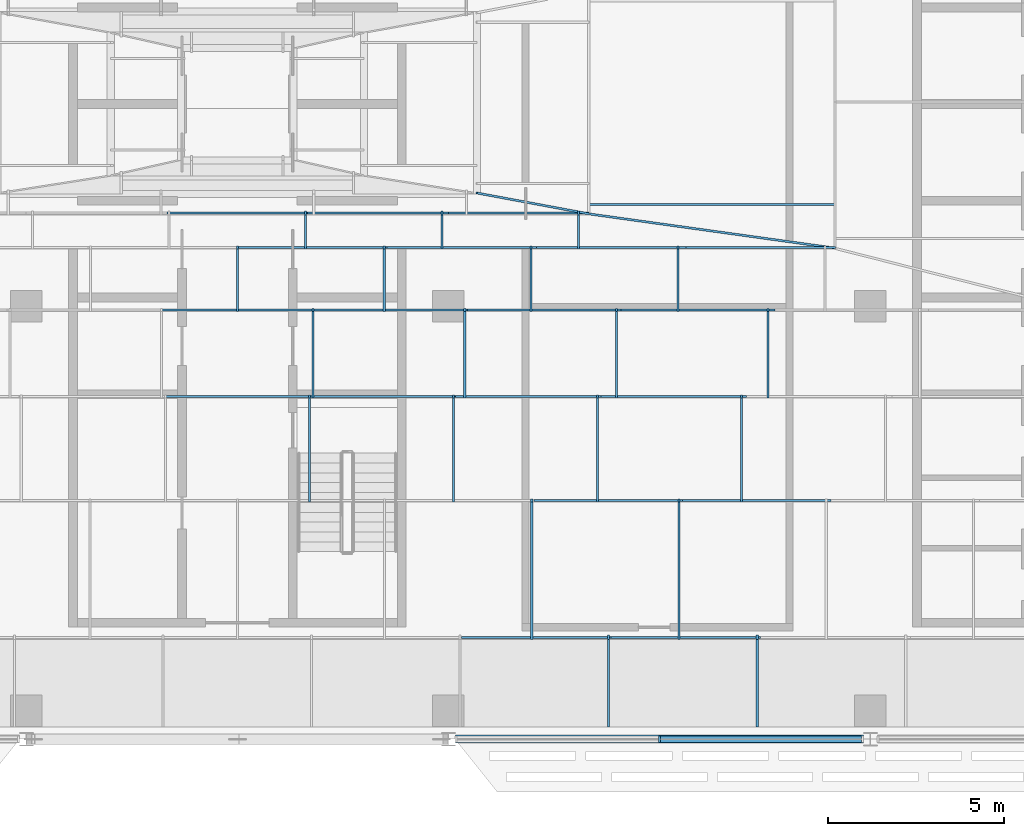
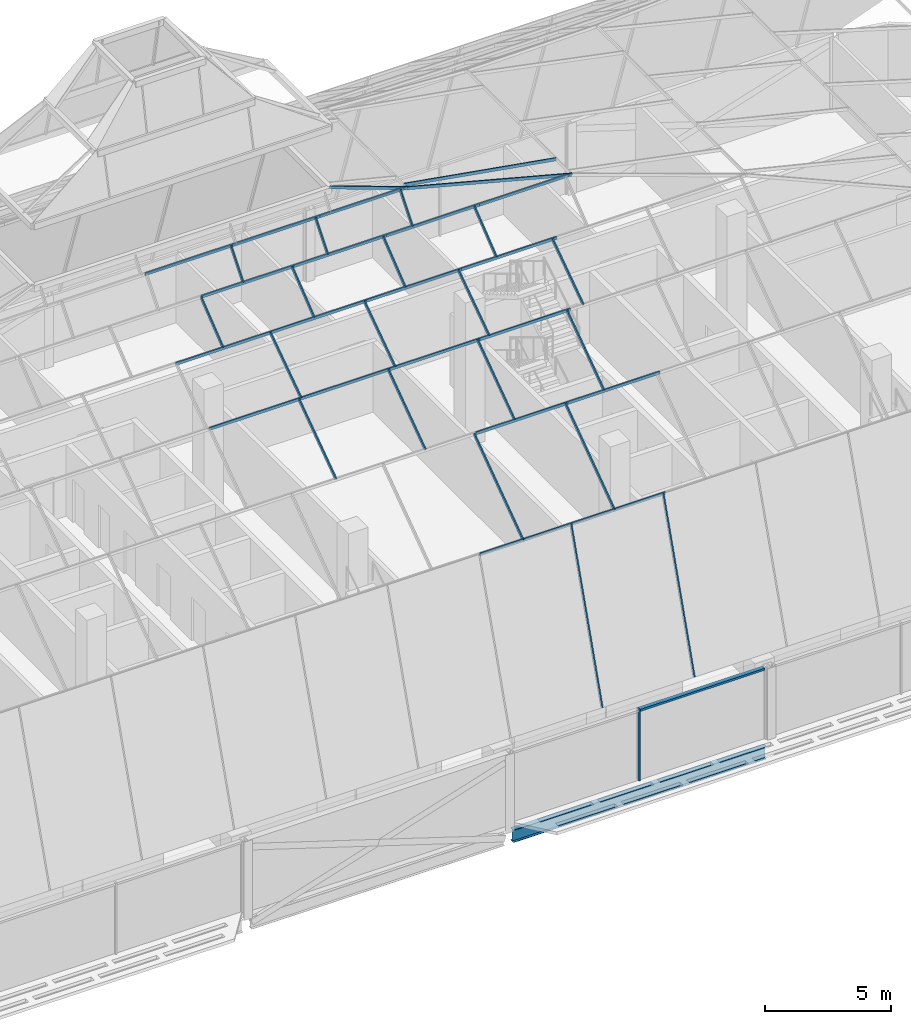
# One storey, part 10 of 39: 43 members, 1 beam, 9 elements without a shape of their own.
"""IFC4 building model written with IfcOpenShell, lengths in metres."""

from ifc_helpers import new_model, si_unit, direction, frame, origin, origin_2d, place, context, subcontext, project, spatial, rectangle, i_section, extrude, material, material_profile, profile_set, type_object, element, aggregate, save


model = new_model("IFC4")

# Units and contexts
model_context = context("Model", 3, precision=1e-05, world=origin(), true_north=direction((0.0, 1.0)))
body_context = subcontext(model_context, "Body", "Model", "MODEL_VIEW")
ifc_project = project(units=[si_unit("LENGTHUNIT", "METRE"), si_unit("AREAUNIT", "SQUARE_METRE"), si_unit("VOLUMEUNIT", "CUBIC_METRE"), si_unit("PLANEANGLEUNIT", "RADIAN"), si_unit("MASSUNIT", "GRAM", prefix="KILO")], contexts=[model_context])

# Site, building, storey
site_placement = place(None, origin())
site = spatial("IfcSite", under=ifc_project, at=site_placement, CompositionType="ELEMENT")
building_placement = place(site_placement, origin())
building = spatial("IfcBuilding", under=site, at=building_placement, Name="Mahtab Terrace Research Tower", CompositionType="ELEMENT")
storey_placement = place(building_placement, frame((0.0, 0.0, 282.300048828125)))
storey = spatial("IfcBuildingStorey", under=building, at=storey_placement, Name="L69", CompositionType="ELEMENT", Elevation=282.300048828125)

# Curtain wall, members
ifc_material_1 = material(Name="Crown faceted glass roof")
curtain_wall_type_1 = type_object("IfcCurtainWallType", Name="Crown faceted glass roof", PredefinedType="NOTDEFINED", material=ifc_material_1)
curtain_wall_1_placement = place(storey_placement, origin())
curtain_wall_1 = element("IfcCurtainWall", 1, at=curtain_wall_1_placement, inside=storey, type_object=curtain_wall_type_1, Name="CROWN.S0", PredefinedType="NOTDEFINED")
ifc_material_2 = material(Name="Natural anodised aluminium", Category="aluminium")
ifc_material_profile_1 = material_profile(ifc_material_2, rectangle(XDim=0.06005859375, YDim=0.139892578125, at=origin_2d()), Name="MULLION 60x140")
ifc_profile_set_1 = profile_set([ifc_material_profile_1], Name="Natural anodised aluminium")
member_type_1 = type_object("IfcMemberType", Name="Crown faceted glass roof mullion", PredefinedType="MULLION", material=ifc_profile_set_1)
member_1_placement = place(storey_placement, frame((10.55908203125, -11.890625, 3.77783203125), z_axis=(0.0, 0.317653941865, 0.948206714392), x_axis=(-1.0, 0.0, 0.0)))
member_1 = element("IfcMember", 2, at=member_1_placement, type_object=member_type_1, Name="CWC-S1 mullion 14", PredefinedType="MULLION", context=body_context, shape_type="SweptSolid", body=[
    extrude(rectangle(XDim=0.06005859375, YDim=0.139892578125, at=origin_2d()), origin(), (0.0, 0.0, 1.0), 7.80419921875),
])
member_2_placement = place(storey_placement, frame((14.78271484375, -11.890625, 3.77783203125), z_axis=(0.0, 0.317653941865, 0.948206714392), x_axis=(-1.0, 0.0, 0.0)))
member_2 = element("IfcMember", 3, at=member_2_placement, type_object=member_type_1, Name="CWC-S1 mullion 15", PredefinedType="MULLION", context=body_context, shape_type="SweptSolid", body=[
    extrude(rectangle(XDim=0.06005859375, YDim=0.139892578125, at=origin_2d()), origin(), (0.0, 0.0, 1.0), 7.80419921875),
])
aggregate(curtain_wall_1, [member_1, member_2])

curtain_wall_2_placement = place(storey_placement, origin())
curtain_wall_2 = element("IfcCurtainWall", 4, at=curtain_wall_2_placement, inside=storey, type_object=curtain_wall_type_1, Name="CROWN.S1", PredefinedType="NOTDEFINED")
member_3_placement = place(storey_placement, frame((8.372802734375, -9.437255859375, 11.14306640625), z_axis=(0.0, 0.813260115318, 0.581900322077), x_axis=(-1.0, 0.0, 0.0)))
member_3 = element("IfcMember", 5, at=member_3_placement, type_object=member_type_1, Name="CWC-S2 mullion 12", PredefinedType="MULLION", context=body_context, shape_type="SweptSolid", body=[
    extrude(rectangle(XDim=0.06005859375, YDim=0.139892578125, at=origin_2d()), origin(), (0.0, 0.0, 1.0), 4.81201171875),
])
member_4_placement = place(storey_placement, frame((12.55908203125, -9.437255859375, 11.14306640625), z_axis=(0.0, 0.813260115318, 0.581900322077), x_axis=(-1.0, 0.0, 0.0)))
member_4 = element("IfcMember", 6, at=member_4_placement, type_object=member_type_1, Name="CWC-S2 mullion 13", PredefinedType="MULLION", context=body_context, shape_type="SweptSolid", body=[
    extrude(rectangle(XDim=0.06005859375, YDim=0.139892578125, at=origin_2d()), origin(), (0.0, 0.0, 1.0), 4.81201171875),
])

curtain_wall_3_placement = place(storey_placement, origin())
curtain_wall_3 = element("IfcCurtainWall", 7, at=curtain_wall_3_placement, inside=storey, type_object=curtain_wall_type_1, Name="CROWN.S2", PredefinedType="NOTDEFINED")
member_5_placement = place(storey_placement, frame((2.048095703125, -5.524169921875, 13.94287109375), z_axis=(0.0, 0.815304175088, 0.57903290242), x_axis=(-1.0, 0.0, 0.0)))
member_5 = element("IfcMember", 8, at=member_5_placement, type_object=member_type_1, Name="CWC-S3 mullion 9", PredefinedType="MULLION", context=body_context, shape_type="SweptSolid", body=[
    extrude(rectangle(XDim=0.06005859375, YDim=0.139892578125, at=origin_2d()), origin(), (0.0, 0.0, 1.0), 3.626953125),
])
member_6_placement = place(storey_placement, frame((6.14404296875, -5.524169921875, 13.94287109375), z_axis=(0.0, 0.815304175088, 0.57903290242), x_axis=(-1.0, 0.0, 0.0)))
member_6 = element("IfcMember", 9, at=member_6_placement, type_object=member_type_1, Name="CWC-S3 mullion 10", PredefinedType="MULLION", context=body_context, shape_type="SweptSolid", body=[
    extrude(rectangle(XDim=0.06005859375, YDim=0.139892578125, at=origin_2d()), origin(), (0.0, 0.0, 1.0), 3.626953125),
])
member_7_placement = place(storey_placement, frame((10.239990234375, -5.524169921875, 13.94287109375), z_axis=(0.0, 0.815304175088, 0.57903290242), x_axis=(-1.0, 0.0, 0.0)))
member_7 = element("IfcMember", 10, at=member_7_placement, type_object=member_type_1, Name="CWC-S3 mullion 11", PredefinedType="MULLION", context=body_context, shape_type="SweptSolid", body=[
    extrude(rectangle(XDim=0.06005859375, YDim=0.139892578125, at=origin_2d()), origin(), (0.0, 0.0, 1.0), 3.626953125),
])
member_8_placement = place(storey_placement, frame((14.336181640625, -5.524169921875, 13.94287109375), z_axis=(0.0, 0.815304175088, 0.57903290242), x_axis=(-1.0, 0.0, 0.0)))
member_8 = element("IfcMember", 11, at=member_8_placement, type_object=member_type_1, Name="CWC-S3 mullion 12", PredefinedType="MULLION", context=body_context, shape_type="SweptSolid", body=[
    extrude(rectangle(XDim=0.06005859375, YDim=0.139892578125, at=origin_2d()), origin(), (0.0, 0.0, 1.0), 3.626953125),
])

curtain_wall_4_placement = place(storey_placement, origin())
curtain_wall_4 = element("IfcCurtainWall", 12, at=curtain_wall_4_placement, inside=storey, type_object=curtain_wall_type_1, Name="CROWN.S3", PredefinedType="NOTDEFINED")
member_9_placement = place(storey_placement, frame((2.156005859375, -2.56787109375, 16.042236328125), z_axis=(0.0, 0.822770587003, 0.568373610544), x_axis=(-1.0, 0.0, 0.0)))
member_9 = element("IfcMember", 13, at=member_9_placement, type_object=member_type_1, Name="CWC-S4 mullion 7", PredefinedType="MULLION", context=body_context, shape_type="SweptSolid", body=[
    extrude(rectangle(XDim=0.06005859375, YDim=0.139892578125, at=origin_2d()), origin(), (0.0, 0.0, 1.0), 2.991455078125),
])
member_10_placement = place(storey_placement, frame((6.468017578125, -2.56787109375, 16.042236328125), z_axis=(0.0, 0.822770587003, 0.568373610544), x_axis=(-1.0, 0.0, 0.0)))
member_10 = element("IfcMember", 14, at=member_10_placement, type_object=member_type_1, Name="CWC-S4 mullion 8", PredefinedType="MULLION", context=body_context, shape_type="SweptSolid", body=[
    extrude(rectangle(XDim=0.06005859375, YDim=0.139892578125, at=origin_2d()), origin(), (0.0, 0.0, 1.0), 2.991455078125),
])
member_11_placement = place(storey_placement, frame((10.77978515625, -2.56787109375, 16.042236328125), z_axis=(0.0, 0.822770587003, 0.568373610544), x_axis=(-1.0, 0.0, 0.0)))
member_11 = element("IfcMember", 15, at=member_11_placement, type_object=member_type_1, Name="CWC-S4 mullion 9", PredefinedType="MULLION", context=body_context, shape_type="SweptSolid", body=[
    extrude(rectangle(XDim=0.06005859375, YDim=0.139892578125, at=origin_2d()), origin(), (0.0, 0.0, 1.0), 2.991455078125),
])
member_12_placement = place(storey_placement, frame((15.091796875, -2.56787109375, 16.042236328125), z_axis=(0.0, 0.822770587003, 0.568373610544), x_axis=(-1.0, 0.0, 0.0)))
member_12 = element("IfcMember", 16, at=member_12_placement, type_object=member_type_1, Name="CWC-S4 mullion 10", PredefinedType="MULLION", context=body_context, shape_type="SweptSolid", body=[
    extrude(rectangle(XDim=0.06005859375, YDim=0.139892578125, at=origin_2d()), origin(), (0.0, 0.0, 1.0), 2.991455078125),
])

curtain_wall_5_placement = place(storey_placement, origin())
curtain_wall_5 = element("IfcCurtainWall", 17, at=curtain_wall_5_placement, inside=storey, type_object=curtain_wall_type_1, Name="CROWN.S4", PredefinedType="NOTDEFINED")
member_13_placement = place(storey_placement, frame((0.0, -0.10302734375, 17.7451171875), z_axis=(0.0, 0.784464538832, 0.620173675122), x_axis=(-1.0, 0.0, 0.0)))
member_13 = element("IfcMember", 18, at=member_13_placement, type_object=member_type_1, Name="CWC-S5 mullion 5", PredefinedType="MULLION", context=body_context, shape_type="SweptSolid", body=[
    extrude(rectangle(XDim=0.06005859375, YDim=0.139892578125, at=origin_2d()), origin(), (0.0, 0.0, 1.0), 2.25732421875),
])
member_14_placement = place(storey_placement, frame((4.177734375, -0.10302734375, 17.7451171875), z_axis=(0.0, 0.784464538832, 0.620173675122), x_axis=(-1.0, 0.0, 0.0)))
member_14 = element("IfcMember", 19, at=member_14_placement, type_object=member_type_1, Name="CWC-S5 mullion 6", PredefinedType="MULLION", context=body_context, shape_type="SweptSolid", body=[
    extrude(rectangle(XDim=0.06005859375, YDim=0.139892578125, at=origin_2d()), origin(), (0.0, 0.0, 1.0), 2.25732421875),
])
member_15_placement = place(storey_placement, frame((8.35546875, -0.10302734375, 17.7451171875), z_axis=(0.0, 0.784464538832, 0.620173675122), x_axis=(-1.0, 0.0, 0.0)))
member_15 = element("IfcMember", 20, at=member_15_placement, type_object=member_type_1, Name="CWC-S5 mullion 7", PredefinedType="MULLION", context=body_context, shape_type="SweptSolid", body=[
    extrude(rectangle(XDim=0.06005859375, YDim=0.139892578125, at=origin_2d()), origin(), (0.0, 0.0, 1.0), 2.25732421875),
])
member_16_placement = place(storey_placement, frame((12.533203125, -0.10302734375, 17.7451171875), z_axis=(0.0, 0.784464538832, 0.620173675122), x_axis=(-1.0, 0.0, 0.0)))
member_16 = element("IfcMember", 21, at=member_16_placement, type_object=member_type_1, Name="CWC-S5 mullion 8", PredefinedType="MULLION", context=body_context, shape_type="SweptSolid", body=[
    extrude(rectangle(XDim=0.06005859375, YDim=0.139892578125, at=origin_2d()), origin(), (0.0, 0.0, 1.0), 2.25732421875),
])

curtain_wall_6_placement = place(storey_placement, origin())
curtain_wall_6 = element("IfcCurtainWall", 22, at=curtain_wall_6_placement, inside=storey, type_object=curtain_wall_type_1, Name="CROWN.S5", PredefinedType="NOTDEFINED")
member_17_placement = place(storey_placement, frame((1.94140625, 1.6787109375, 19.15576171875), z_axis=(0.0, 0.630092976718, 0.776519697555), x_axis=(-1.0, 0.0, 0.0)))
member_17 = element("IfcMember", 23, at=member_17_placement, type_object=member_type_1, Name="CWC-S6 mullion 4", PredefinedType="MULLION", context=body_context, shape_type="SweptSolid", body=[
    extrude(rectangle(XDim=0.06005859375, YDim=0.139892578125, at=origin_2d()), origin(), (0.0, 0.0, 1.0), 1.545654296875),
])
member_18_placement = place(storey_placement, frame((5.823974609375, 1.6787109375, 19.15576171875), z_axis=(0.0, 0.630092976718, 0.776519697555), x_axis=(-1.0, 0.0, 0.0)))
member_18 = element("IfcMember", 24, at=member_18_placement, type_object=member_type_1, Name="CWC-S6 mullion 5", PredefinedType="MULLION", context=body_context, shape_type="SweptSolid", body=[
    extrude(rectangle(XDim=0.06005859375, YDim=0.139892578125, at=origin_2d()), origin(), (0.0, 0.0, 1.0), 1.545654296875),
])
member_19_placement = place(storey_placement, frame((9.70654296875, 1.6787109375, 19.15576171875), z_axis=(0.0, 0.630092976718, 0.776519697555), x_axis=(-1.0, 0.0, 0.0)))
member_19 = element("IfcMember", 25, at=member_19_placement, type_object=member_type_1, Name="CWC-S6 mullion 6", PredefinedType="MULLION", context=body_context, shape_type="SweptSolid", body=[
    extrude(rectangle(XDim=0.06005859375, YDim=0.139892578125, at=origin_2d()), origin(), (0.0, 0.0, 1.0), 1.545654296875),
])

# Curtain wall, member
curtain_wall_7_placement = place(storey_placement, origin())
curtain_wall_7 = element("IfcCurtainWall", 26, at=curtain_wall_7_placement, inside=storey, type_object=curtain_wall_type_1, Name="CROWN.E5", PredefinedType="NOTDEFINED")
member_20_placement = place(storey_placement, frame((16.999267578125, 2.898193359375, 19.130859375), z_axis=(-0.985636308822, 0.0, 0.168881812909), x_axis=(0.0, -1.0, 0.0)))
member_20 = element("IfcMember", 27, at=member_20_placement, type_object=member_type_1, Name="CWC-E6 mullion 1", PredefinedType="MULLION", context=body_context, shape_type="SweptSolid", body=[
    extrude(rectangle(XDim=0.06005859375, YDim=0.139892578125, at=origin_2d()), origin(), (0.0, 0.0, 1.0), 7.106689453125),
])
aggregate(curtain_wall_7, [member_20])

# Member
member_21_placement = place(storey_placement, frame((17.00439453125, 1.654541015625, 19.13720703125), z_axis=(-0.976514044141, 0.135772552181, 0.167290572567), x_axis=(-0.137713257703, -0.990472139261, 0.0)))
member_21 = element("IfcMember", 28, at=member_21_placement, type_object=member_type_1, Name="CWC hip SE 6", PredefinedType="MULLION", context=body_context, shape_type="SweptSolid", body=[
    extrude(rectangle(XDim=0.06005859375, YDim=0.139892578125, at=origin_2d()), origin(), (0.0, 0.0, 1.0), 7.1728515625),
])

# Curtain wall, member
curtain_wall_8_placement = place(storey_placement, origin())
curtain_wall_8 = element("IfcCurtainWall", 29, at=curtain_wall_8_placement, inside=storey, type_object=curtain_wall_type_1, Name="CROWN.S6", PredefinedType="NOTDEFINED")
member_22_placement = place(storey_placement, frame((9.996826171875, 2.6298828125, 20.338134765625), z_axis=(-0.954542574047, 0.177826989169, 0.239219640192), x_axis=(-0.183144501834, -0.983086004095, 0.0)))
member_22 = element("IfcMember", 30, at=member_22_placement, type_object=member_type_1, Name="CWC hip SE 7", PredefinedType="MULLION", context=body_context, shape_type="SweptSolid", body=[
    extrude(rectangle(XDim=0.06005859375, YDim=0.139892578125, at=origin_2d()), origin(), (0.0, 0.0, 1.0), 3.344482421875),
])

# Member
ifc_material_profile_2 = material_profile(ifc_material_2, rectangle(XDim=0.06005859375, YDim=0.139892578125, at=origin_2d()), Name="TRANSOM 60x140")
ifc_profile_set_2 = profile_set([ifc_material_profile_2], Name="Natural anodised aluminium")
member_type_2 = type_object("IfcMemberType", Name="Crown faceted glass roof transom", PredefinedType="USERDEFINED", material=ifc_profile_set_2)
member_23_placement = place(storey_placement, frame((6.37841796875, -9.421630859375, 11.158447265625), z_axis=(1.0, 0.0, 0.0), x_axis=(0.0, 1.0, 0.0)))
member_23 = element("IfcMember", 31, at=member_23_placement, type_object=member_type_2, Name="CWC-S2 transom 13", ObjectType="TRANSOM", PredefinedType="USERDEFINED", context=body_context, shape_type="SweptSolid", body=[
    extrude(rectangle(XDim=0.06005859375, YDim=0.139892578125, at=origin_2d()), origin(), (0.0, 0.0, 1.0), 4.252197265625),
])

member_24_placement = place(storey_placement, frame((10.630615234375, -9.421630859375, 11.158447265625), z_axis=(1.0, 0.0, 0.0), x_axis=(0.0, 1.0, 0.0)))
member_24 = element("IfcMember", 32, at=member_24_placement, type_object=member_type_2, Name="CWC-S2 transom 14", ObjectType="TRANSOM", PredefinedType="USERDEFINED", context=body_context, shape_type="SweptSolid", body=[
    extrude(rectangle(XDim=0.06005859375, YDim=0.139892578125, at=origin_2d()), origin(), (0.0, 0.0, 1.0), 4.252197265625),
])

aggregate(curtain_wall_2, [member_3, member_4, member_23, member_24])

member_25_placement = place(storey_placement, frame((8.439208984375, -5.524169921875, 13.94287109375), z_axis=(1.0, 0.0, 0.0), x_axis=(0.0, 1.0, 0.0)))
member_25 = element("IfcMember", 33, at=member_25_placement, type_object=member_type_2, Name="CWC-S3 transom 12", ObjectType="TRANSOM", PredefinedType="USERDEFINED", context=body_context, shape_type="SweptSolid", body=[
    extrude(rectangle(XDim=0.06005859375, YDim=0.139892578125, at=origin_2d()), origin(), (0.0, 0.0, 1.0), 4.2197265625),
])

member_26_placement = place(storey_placement, frame((12.658935546875, -5.524169921875, 13.94287109375), z_axis=(1.0, 0.0, 0.0), x_axis=(0.0, 1.0, 0.0)))
member_26 = element("IfcMember", 34, at=member_26_placement, type_object=member_type_2, Name="CWC-S3 transom 13", ObjectType="TRANSOM", PredefinedType="USERDEFINED", context=body_context, shape_type="SweptSolid", body=[
    extrude(rectangle(XDim=0.06005859375, YDim=0.139892578125, at=origin_2d()), origin(), (0.0, 0.0, 1.0), 4.2197265625),
])

aggregate(curtain_wall_3, [member_5, member_6, member_7, member_8, member_25, member_26])

member_27_placement = place(storey_placement, frame((-2.068115234375, -2.5673828125, 16.042724609375), z_axis=(1.0, 0.0, 0.0), x_axis=(0.0, 1.0, 0.0)))
member_27 = element("IfcMember", 35, at=member_27_placement, type_object=member_type_2, Name="CWC-S4 transom 8", ObjectType="TRANSOM", PredefinedType="USERDEFINED", context=body_context, shape_type="SweptSolid", body=[
    extrude(rectangle(XDim=0.06005859375, YDim=0.139892578125, at=origin_2d()), origin(), (0.0, 0.0, 1.0), 4.13623046875),
])

member_28_placement = place(storey_placement, frame((2.068115234375, -2.5673828125, 16.042724609375), z_axis=(1.0, 0.0, 0.0), x_axis=(0.0, 1.0, 0.0)))
member_28 = element("IfcMember", 36, at=member_28_placement, type_object=member_type_2, Name="CWC-S4 transom 9", ObjectType="TRANSOM", PredefinedType="USERDEFINED", context=body_context, shape_type="SweptSolid", body=[
    extrude(rectangle(XDim=0.06005859375, YDim=0.139892578125, at=origin_2d()), origin(), (0.0, 0.0, 1.0), 4.135986328125),
])

member_29_placement = place(storey_placement, frame((6.2041015625, -2.5673828125, 16.042724609375), z_axis=(1.0, 0.0, 0.0), x_axis=(0.0, 1.0, 0.0)))
member_29 = element("IfcMember", 37, at=member_29_placement, type_object=member_type_2, Name="CWC-S4 transom 10", ObjectType="TRANSOM", PredefinedType="USERDEFINED", context=body_context, shape_type="SweptSolid", body=[
    extrude(rectangle(XDim=0.06005859375, YDim=0.139892578125, at=origin_2d()), origin(), (0.0, 0.0, 1.0), 4.135986328125),
])

member_30_placement = place(storey_placement, frame((10.340087890625, -2.5673828125, 16.042724609375), z_axis=(1.0, 0.0, 0.0), x_axis=(0.0, 1.0, 0.0)))
member_30 = element("IfcMember", 38, at=member_30_placement, type_object=member_type_2, Name="CWC-S4 transom 11", ObjectType="TRANSOM", PredefinedType="USERDEFINED", context=body_context, shape_type="SweptSolid", body=[
    extrude(rectangle(XDim=0.06005859375, YDim=0.139892578125, at=origin_2d()), origin(), (0.0, 0.0, 1.0), 4.135986328125),
])

aggregate(curtain_wall_4, [member_9, member_10, member_11, member_12, member_27, member_28, member_29, member_30])

member_31_placement = place(storey_placement, frame((-2.18310546875, -0.104736328125, 17.74365234375), z_axis=(1.0, 0.0, 0.0), x_axis=(0.0, 1.0, 0.0)))
member_31 = element("IfcMember", 39, at=member_31_placement, type_object=member_type_2, Name="CWC-S5 transom 6", ObjectType="TRANSOM", PredefinedType="USERDEFINED", context=body_context, shape_type="SweptSolid", body=[
    extrude(rectangle(XDim=0.06005859375, YDim=0.139892578125, at=origin_2d()), origin(), (0.0, 0.0, 1.0), 4.3662109375),
])

member_32_placement = place(storey_placement, frame((2.18310546875, -0.104736328125, 17.74365234375), z_axis=(1.0, 0.0, 0.0), x_axis=(0.0, 1.0, 0.0)))
member_32 = element("IfcMember", 40, at=member_32_placement, type_object=member_type_2, Name="CWC-S5 transom 7", ObjectType="TRANSOM", PredefinedType="USERDEFINED", context=body_context, shape_type="SweptSolid", body=[
    extrude(rectangle(XDim=0.06005859375, YDim=0.139892578125, at=origin_2d()), origin(), (0.0, 0.0, 1.0), 4.36669921875),
])

member_33_placement = place(storey_placement, frame((6.5498046875, -0.104736328125, 17.74365234375), z_axis=(1.0, 0.0, 0.0), x_axis=(0.0, 1.0, 0.0)))
member_33 = element("IfcMember", 41, at=member_33_placement, type_object=member_type_2, Name="CWC-S5 transom 8", ObjectType="TRANSOM", PredefinedType="USERDEFINED", context=body_context, shape_type="SweptSolid", body=[
    extrude(rectangle(XDim=0.06005859375, YDim=0.139892578125, at=origin_2d()), origin(), (0.0, 0.0, 1.0), 4.366455078125),
])

member_34_placement = place(storey_placement, frame((10.916259765625, -0.104736328125, 17.74365234375), z_axis=(1.0, 0.0, 0.0), x_axis=(0.0, 1.0, 0.0)))
member_34 = element("IfcMember", 42, at=member_34_placement, type_object=member_type_2, Name="CWC-S5 transom 9", ObjectType="TRANSOM", PredefinedType="USERDEFINED", context=body_context, shape_type="SweptSolid", body=[
    extrude(rectangle(XDim=0.06005859375, YDim=0.139892578125, at=origin_2d()), origin(), (0.0, 0.0, 1.0), 4.366455078125),
])

aggregate(curtain_wall_5, [member_13, member_14, member_15, member_16, member_31, member_32, member_33, member_34])

member_35_placement = place(storey_placement, frame((0.0, 1.673583984375, 19.150146484375), z_axis=(1.0, 0.0, 0.0), x_axis=(0.0, 1.0, 0.0)))
member_35 = element("IfcMember", 43, at=member_35_placement, type_object=member_type_2, Name="CWC-S6 transom 5", ObjectType="TRANSOM", PredefinedType="USERDEFINED", context=body_context, shape_type="SweptSolid", body=[
    extrude(rectangle(XDim=0.06005859375, YDim=0.139892578125, at=origin_2d()), origin(), (0.0, 0.0, 1.0), 4.252685546875),
])

member_36_placement = place(storey_placement, frame((4.252685546875, 1.673583984375, 19.150146484375), z_axis=(1.0, 0.0, 0.0), x_axis=(0.0, 1.0, 0.0)))
member_36 = element("IfcMember", 44, at=member_36_placement, type_object=member_type_2, Name="CWC-S6 transom 6", ObjectType="TRANSOM", PredefinedType="USERDEFINED", context=body_context, shape_type="SweptSolid", body=[
    extrude(rectangle(XDim=0.06005859375, YDim=0.139892578125, at=origin_2d()), origin(), (0.0, 0.0, 1.0), 4.2529296875),
])

member_37_placement = place(storey_placement, frame((8.505615234375, 1.673583984375, 19.150146484375), z_axis=(1.0, 0.0, 0.0), x_axis=(0.0, 1.0, 0.0)))
member_37 = element("IfcMember", 45, at=member_37_placement, type_object=member_type_2, Name="CWC-S6 transom 7", ObjectType="TRANSOM", PredefinedType="USERDEFINED", context=body_context, shape_type="SweptSolid", body=[
    extrude(rectangle(XDim=0.06005859375, YDim=0.139892578125, at=origin_2d()), origin(), (0.0, 0.0, 1.0), 4.252685546875),
])

member_38_placement = place(storey_placement, frame((12.75830078125, 1.673583984375, 19.150146484375), z_axis=(1.0, 0.0, 0.0), x_axis=(0.0, 1.0, 0.0)))
member_38 = element("IfcMember", 46, at=member_38_placement, type_object=member_type_2, Name="CWC-S6 transom 8", ObjectType="TRANSOM", PredefinedType="USERDEFINED", context=body_context, shape_type="SweptSolid", body=[
    extrude(rectangle(XDim=0.06005859375, YDim=0.139892578125, at=origin_2d()), origin(), (0.0, 0.0, 1.0), 4.252685546875),
])

aggregate(curtain_wall_6, [member_17, member_18, member_19, member_35, member_36, member_37, member_38, member_21])

member_39_placement = place(storey_placement, frame((-2.001220703125, 2.6533203125, 20.35693359375), z_axis=(1.0, 0.0, 0.0), x_axis=(0.0, 1.0, 0.0)))
member_39 = element("IfcMember", 47, at=member_39_placement, type_object=member_type_2, Name="CWC-S7 transom 3", ObjectType="TRANSOM", PredefinedType="USERDEFINED", context=body_context, shape_type="SweptSolid", body=[
    extrude(rectangle(XDim=0.06005859375, YDim=0.139892578125, at=origin_2d()), origin(), (0.0, 0.0, 1.0), 4.00244140625),
])

member_40_placement = place(storey_placement, frame((2.001220703125, 2.6533203125, 20.35693359375), z_axis=(1.0, 0.0, 0.0), x_axis=(0.0, 1.0, 0.0)))
member_40 = element("IfcMember", 48, at=member_40_placement, type_object=member_type_2, Name="CWC-S7 transom 4", ObjectType="TRANSOM", PredefinedType="USERDEFINED", context=body_context, shape_type="SweptSolid", body=[
    extrude(rectangle(XDim=0.06005859375, YDim=0.139892578125, at=origin_2d()), origin(), (0.0, 0.0, 1.0), 4.002685546875),
])

member_41_placement = place(storey_placement, frame((6.00390625, 2.6533203125, 20.35693359375), z_axis=(1.0, 0.0, 0.0), x_axis=(0.0, 1.0, 0.0)))
member_41 = element("IfcMember", 49, at=member_41_placement, type_object=member_type_2, Name="CWC-S7 transom 5", ObjectType="TRANSOM", PredefinedType="USERDEFINED", context=body_context, shape_type="SweptSolid", body=[
    extrude(rectangle(XDim=0.06005859375, YDim=0.139892578125, at=origin_2d()), origin(), (0.0, 0.0, 1.0), 4.002685546875),
])

aggregate(curtain_wall_8, [member_39, member_40, member_41, member_22])

# Curtain wall, members
ifc_material_3 = material(Name="Office ribbon curtain wall")
curtain_wall_type_2 = type_object("IfcCurtainWallType", Name="Office ribbon curtain wall", PredefinedType="NOTDEFINED", material=ifc_material_3)
curtain_wall_9_placement = place(storey_placement, origin())
curtain_wall_9 = element("IfcCurtainWall", 50, at=curtain_wall_9_placement, inside=storey, type_object=curtain_wall_type_2, Name="EN.L69.13.27", PredefinedType="NOTDEFINED")
ifc_material_profile_3 = material_profile(ifc_material_2, rectangle(XDim=0.179931640625, YDim=0.06005859375, at=origin_2d()), Name="MULLION 60x180")
ifc_profile_set_3 = profile_set([ifc_material_profile_3], Name="Natural anodised aluminium")
member_type_3 = type_object("IfcMemberType", Name="Office ribbon curtain wall mullion", PredefinedType="MULLION", material=ifc_profile_set_3)
member_42_placement = place(storey_placement, frame((12.0, -12.306884765625, 0.0), z_axis=(0.0, 0.0, 1.0), x_axis=(0.0, 1.0, 0.0)))
member_42 = element("IfcMember", 51, at=member_42_placement, type_object=member_type_3, Name="CWO-8 mullion 2", PredefinedType="MULLION", context=body_context, shape_type="SweptSolid", body=[
    extrude(rectangle(XDim=0.179931640625, YDim=0.06005859375, at=origin_2d()), origin(), (0.0, 0.0, 1.0), 3.4599609375),
])
ifc_material_profile_4 = material_profile(ifc_material_2, rectangle(XDim=0.179931640625, YDim=0.10009765625, at=origin_2d()), Name="TRANSOM 100x180")
ifc_profile_set_4 = profile_set([ifc_material_profile_4], Name="Natural anodised aluminium")
member_type_4 = type_object("IfcMemberType", Name="Office ribbon curtain wall transom", PredefinedType="USERDEFINED", material=ifc_profile_set_4)
member_43_placement = place(storey_placement, frame((12.030029296875, -12.306884765625, 3.409912109375), z_axis=(1.0, 0.0, 0.0), x_axis=(0.0, 1.0, 0.0)))
member_43 = element("IfcMember", 52, at=member_43_placement, type_object=member_type_4, Name="CWO-8 transom 2", ObjectType="TRANSOM", PredefinedType="USERDEFINED", context=body_context, shape_type="SweptSolid", body=[
    extrude(rectangle(XDim=0.179931640625, YDim=0.10009765625, at=origin_2d()), origin(), (0.0, 0.0, 1.0), 5.721923828125),
])
aggregate(curtain_wall_9, [member_42, member_43])

# Beam
ifc_material_4 = material(Name="Steel ASTM A992 Gr 50", Category="steel")
ifc_material_profile_5 = material_profile(ifc_material_4, i_section(OverallWidth=0.228271484375, OverallDepth=0.607177734375, WebThickness=0.01123046875, FlangeThickness=0.017333984375, at=origin_2d()), Name="W24X76")
ifc_profile_set_5 = profile_set([ifc_material_profile_5], Name="Steel ASTM A992 Gr 50")
beam_type = type_object("IfcBeamType", Name="W24x76 beam BS2476", PredefinedType="BEAM", material=ifc_profile_set_5)
beam_placement = place(storey_placement, frame((6.19677734375, -12.306884765625, -0.6435546875), z_axis=(1.0, 0.0, 0.0), x_axis=(0.0, 1.0, 0.0)))
element("IfcBeam", 53, at=beam_placement, inside=storey, type_object=beam_type, Name="Spandrel beam L69 18", PredefinedType="BEAM", context=body_context, shape_type="SweptSolid", body=[
    extrude(i_section(OverallWidth=0.228271484375, OverallDepth=0.607177734375, WebThickness=0.01123046875, FlangeThickness=0.017333984375, at=origin_2d()), origin(), (0.0, 0.0, 1.0), 11.6064453125),
])

save(model, "model.ifc")
